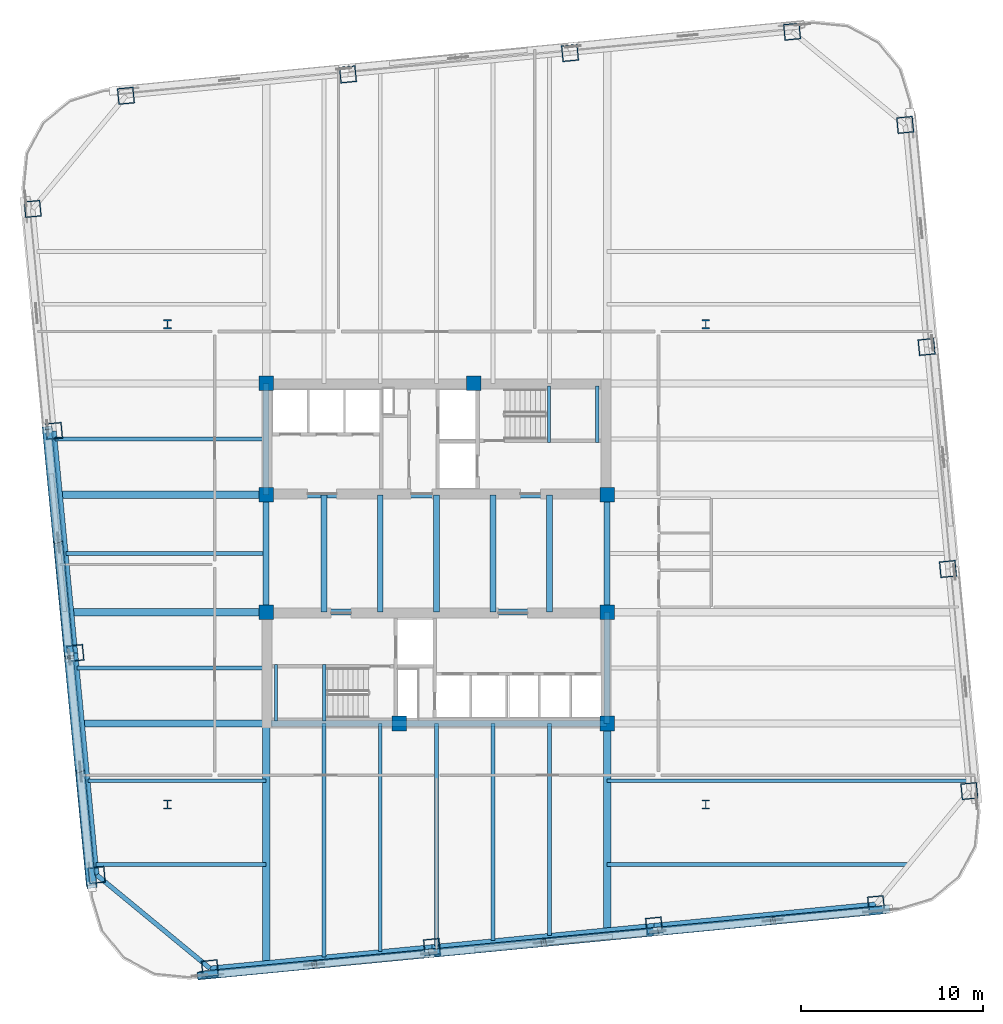
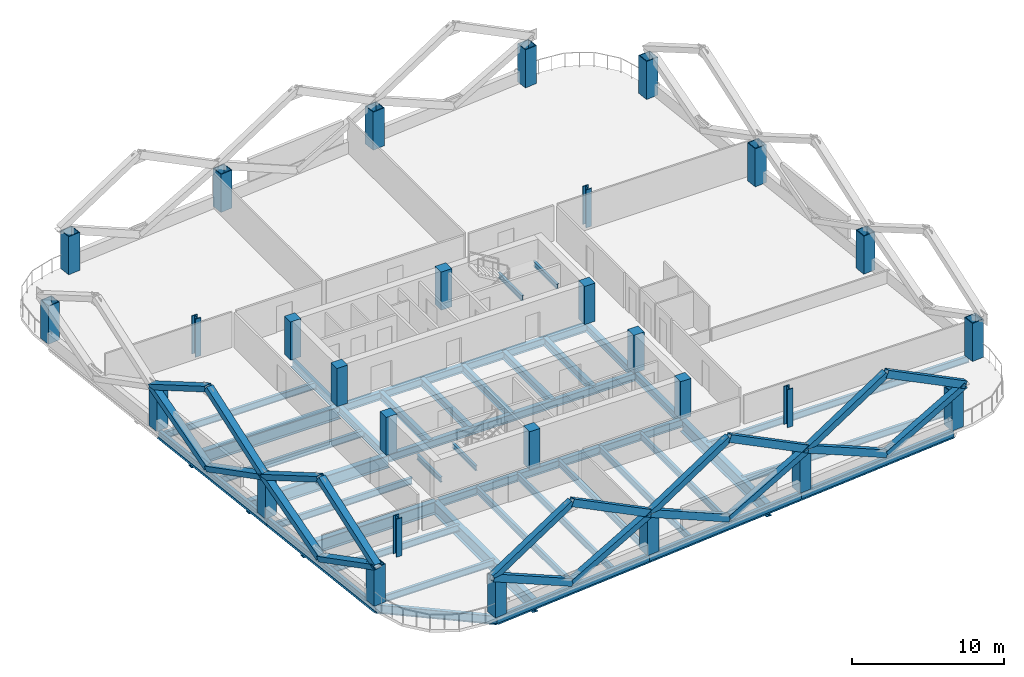
# One storey, part 1 of 8: 39 beams, 28 columns, 20 members.
"""IFC4 building model written with IfcOpenShell, lengths in metres."""

from ifc_helpers import new_model, si_unit, direction, frame, origin, origin_2d, place, context, subcontext, project, spatial, rectangle, hollow_rectangle, i_section, extrude, material, material_profile, profile_set, type_object, element, save


model = new_model("IFC4")

# Units and contexts
model_context = context("Model", 3, precision=1e-05, world=origin(), true_north=direction((0.0, 1.0)))
body_context = subcontext(model_context, "Body", "Model", "MODEL_VIEW")
ifc_project = project(units=[si_unit("LENGTHUNIT", "METRE"), si_unit("AREAUNIT", "SQUARE_METRE"), si_unit("VOLUMEUNIT", "CUBIC_METRE"), si_unit("PLANEANGLEUNIT", "RADIAN"), si_unit("MASSUNIT", "GRAM", prefix="KILO")], contexts=[model_context])

# Site, building, storey
site_placement = place(None, origin())
site = spatial("IfcSite", under=ifc_project, at=site_placement, CompositionType="ELEMENT")
building_placement = place(site_placement, origin())
building = spatial("IfcBuilding", under=site, at=building_placement, Name="Qhalaya Broadcast Tower", CompositionType="ELEMENT")
storey_placement = place(building_placement, frame((0.0, 0.0, 93.85009765625)))
storey = spatial("IfcBuildingStorey", under=building, at=storey_placement, Name="L27", CompositionType="ELEMENT", Elevation=93.85009765625)

# Columns
ifc_material_1 = material(Name="Concrete C50/60", Category="concrete")
ifc_material_profile_1 = material_profile(ifc_material_1, rectangle(XDim=0.800048828125, YDim=0.800048828125, at=origin_2d()), Name="RC-COL 800x800")
ifc_profile_set_1 = profile_set([ifc_material_profile_1], Name="Concrete C50/60")
column_type_1 = type_object("IfcColumnType", Name="RC Upper Column C10", PredefinedType="COLUMN", material=ifc_profile_set_1)
for number, where, z_axis, x_axis, name in (
    (1, (-9.375, 9.949951171875, 0.0), (0.0, 0.0, 1.0), (1.0, 0.0, 0.0), "L27 Column COL-CC1"),
    (2, (2.050048828125, 9.949951171875, 0.0), (0.0, 0.0, 1.0), (1.0, 0.0, 0.0), "L27 Column COL-CC2"),
    (3, (-9.375, 3.824951171875, 0.0), (0.0, 0.0, 1.0), (1.0, 0.0, 0.0), "L27 Column COL-CC3"),
    (4, (9.375, 3.824951171875, 0.0), (0.0, 0.0, 1.0), (1.0, 0.0, 0.0), "L27 Column COL-CC4"),
    (5, (-9.375, -2.625, 0.0), (0.0, 0.0, 1.0), (1.0, 0.0, 0.0), "L27 Column COL-CC5"),
    (6, (9.375, -2.625, 0.0), (0.0, 0.0, 1.0), (1.0, 0.0, 0.0), "L27 Column COL-CC6"),
    (7, (-2.050048828125, -8.75, 0.0), (0.0, 0.0, 1.0), (1.0, 0.0, 0.0), "L27 Column COL-CC7"),
    (8, (9.375, -8.75, 0.0), (0.0, 0.0, 1.0), (1.0, 0.0, 0.0), "L27 Column COL-CC8"),
):
    element("IfcColumn", number, at=place(storey_placement, frame(where, z_axis=z_axis, x_axis=x_axis)), inside=storey, type_object=column_type_1, Name=name, PredefinedType="COLUMN", context=body_context, shape_type="SweptSolid", body=[
        extrude(rectangle(XDim=0.800048828125, YDim=0.800048828125, at=origin_2d()), origin(), (0.0, 0.0, 1.0), 3.0498046875),
    ])
ifc_material_2 = material(Name="Structural Steel ASTM A992 Grade 50", Category="steel")
ifc_material_profile_2 = material_profile(ifc_material_2, i_section(OverallWidth=0.41796875, OverallDepth=0.510009765625, WebThickness=0.0419921875, FlangeThickness=0.067626953125, at=origin_2d()), Name="W14X370")
ifc_profile_set_2 = profile_set([ifc_material_profile_2], Name="Structural Steel ASTM A992 Grade 50")
column_type_2 = type_object("IfcColumnType", Name="Rolled Gravity Column C06", PredefinedType="COLUMN", material=ifc_profile_set_2)
for number, where, z_axis, x_axis, name in (
    (9, (-14.800048828125, -13.199951171875, 0.0), (0.0, 0.0, 1.0), (1.0, 0.0, 0.0), "L27 Column COL-GR1"),
    (10, (14.800048828125, -13.199951171875, 0.0), (0.0, 0.0, 1.0), (1.0, 0.0, 0.0), "L27 Column COL-GR2"),
    (11, (-14.800048828125, 13.199951171875, 0.0), (0.0, 0.0, 1.0), (1.0, 0.0, 0.0), "L27 Column COL-GR3"),
    (12, (14.800048828125, 13.199951171875, 0.0), (0.0, 0.0, 1.0), (1.0, 0.0, 0.0), "L27 Column COL-GR4"),
):
    element("IfcColumn", number, at=place(storey_placement, frame(where, z_axis=z_axis, x_axis=x_axis)), inside=storey, type_object=column_type_2, Name=name, PredefinedType="COLUMN", context=body_context, shape_type="SweptSolid", body=[
        extrude(i_section(OverallWidth=0.41796875, OverallDepth=0.510009765625, WebThickness=0.0419921875, FlangeThickness=0.067626953125, at=origin_2d()), origin(), (0.0, 0.0, 1.0), 3.0498046875),
    ])
ifc_material_3 = material(Name="Structural Steel ASTM A572 Grade 50", Category="steel")
ifc_material_profile_3 = material_profile(ifc_material_3, hollow_rectangle(XDim=0.89990234375, YDim=0.89990234375, WallThickness=0.054931640625, at=origin_2d()), Name="BOX 900x900x55")
ifc_profile_set_3 = profile_set([ifc_material_profile_3], Name="Structural Steel ASTM A572 Grade 50")
column_type_3 = type_object("IfcColumnType", Name="Steel Box Column C02", PredefinedType="COLUMN", material=ifc_profile_set_3)
for number, where, z_axis, x_axis, name in (
    (13, (-12.46533203125, -22.212646484375, 0.0), (0.0, 0.0, 1.0), (0.995396198367, 0.09584575252, 0.0), "L27 Column COL-EX01"),
    (14, (-0.255126953125, -21.036865234375, 0.0), (0.0, 0.0, 1.0), (0.995396198367, 0.09584575252, 0.0), "L27 Column COL-EX02"),
    (15, (11.955078125, -19.861083984375, 0.0), (0.0, 0.0, 1.0), (0.995396198367, 0.09584575252, 0.0), "L27 Column COL-EX03"),
    (16, (24.165283203125, -18.685546875, 0.0), (0.0, 0.0, 1.0), (0.995396198367, 0.09584575252, 0.0), "L27 Column COL-EX04"),
    (17, (29.29248046875, -12.46533203125, 0.0), (0.0, 0.0, 1.0), (-0.09584575252, 0.995396198367, 0.0), "L27 Column COL-EX05"),
    (18, (28.116943359375, -0.255126953125, 0.0), (0.0, 0.0, 1.0), (-0.09584575252, 0.995396198367, 0.0), "L27 Column COL-EX06"),
    (19, (26.941162109375, 11.955078125, 0.0), (0.0, 0.0, 1.0), (-0.09584575252, 0.995396198367, 0.0), "L27 Column COL-EX07"),
    (20, (25.765380859375, 24.165283203125, 0.0), (0.0, 0.0, 1.0), (-0.09584575252, 0.995396198367, 0.0), "L27 Column COL-EX08"),
    (21, (19.54541015625, 29.29248046875, 0.0), (0.0, 0.0, 1.0), (0.995396198367, 0.09584575252, 0.0), "L27 Column COL-EX09"),
    (22, (7.335205078125, 28.116943359375, 0.0), (0.0, 0.0, 1.0), (0.995396198367, 0.09584575252, 0.0), "L27 Column COL-EX10"),
    (23, (-4.875, 26.941162109375, 0.0), (0.0, 0.0, 1.0), (0.995396198367, 0.09584575252, 0.0), "L27 Column COL-EX11"),
    (24, (-17.085205078125, 25.765380859375, 0.0), (0.0, 0.0, 1.0), (0.995396198367, 0.09584575252, 0.0), "L27 Column COL-EX12"),
    (25, (-22.212646484375, 19.54541015625, 0.0), (0.0, 0.0, 1.0), (-0.09584575252, 0.995396198367, 0.0), "L27 Column COL-EX13"),
    (26, (-21.036865234375, 7.335205078125, 0.0), (0.0, 0.0, 1.0), (-0.09584575252, 0.995396198367, 0.0), "L27 Column COL-EX14"),
    (27, (-19.861083984375, -4.875, 0.0), (0.0, 0.0, 1.0), (-0.09584575252, 0.995396198367, 0.0), "L27 Column COL-EX15"),
    (28, (-18.685546875, -17.085205078125, 0.0), (0.0, 0.0, 1.0), (-0.09584575252, 0.995396198367, 0.0), "L27 Column COL-EX16"),
):
    element("IfcColumn", number, at=place(storey_placement, frame(where, z_axis=z_axis, x_axis=x_axis)), inside=storey, type_object=column_type_3, Name=name, PredefinedType="COLUMN", context=body_context, shape_type="SweptSolid", body=[
        extrude(hollow_rectangle(XDim=0.89990234375, YDim=0.89990234375, WallThickness=0.054931640625, at=origin_2d()), origin(), (0.0, 0.0, 1.0), 3.0498046875),
    ])

# Beams
ifc_material_profile_4 = material_profile(ifc_material_2, i_section(OverallWidth=0.2099609375, OverallDepth=0.535888671875, WebThickness=0.010986328125, FlangeThickness=0.017333984375, at=origin_2d()), Name="W21X68")
ifc_profile_set_4 = profile_set([ifc_material_profile_4], Name="Structural Steel ASTM A992 Grade 50")
beam_type_1 = type_object("IfcBeamType", Name="Composite Floor Joist J02", PredefinedType="JOIST", material=ifc_profile_set_4)
beam_1_placement = place(storey_placement, frame((-6.199951171875, -21.589111328125, -0.488037109375), z_axis=(0.0, 1.0, 0.0), x_axis=(-1.0, 0.0, 0.0)))
element("IfcBeam", 29, at=beam_1_placement, inside=storey, type_object=beam_type_1, Name="L27 J02 L27-JNS1-1", PredefinedType="JOIST", context=body_context, shape_type="SweptSolid", body=[
    extrude(i_section(OverallWidth=0.2099609375, OverallDepth=0.535888671875, WebThickness=0.010986328125, FlangeThickness=0.017333984375, at=origin_2d()), origin(), (0.0, 0.0, 1.0), 12.839111328125),
])
beam_2_placement = place(storey_placement, frame((-3.10009765625, -21.290771484375, -0.488037109375), z_axis=(0.0, 1.0, 0.0), x_axis=(-1.0, 0.0, 0.0)))
element("IfcBeam", 30, at=beam_2_placement, inside=storey, type_object=beam_type_1, Name="L27 J02 L27-JNS2-1", PredefinedType="JOIST", context=body_context, shape_type="SweptSolid", body=[
    extrude(i_section(OverallWidth=0.2099609375, OverallDepth=0.535888671875, WebThickness=0.010986328125, FlangeThickness=0.017333984375, at=origin_2d()), origin(), (0.0, 0.0, 1.0), 12.540771484375),
])
beam_3_placement = place(storey_placement, frame((0.0, -20.9921875, -0.488037109375), z_axis=(0.0, 1.0, 0.0), x_axis=(-1.0, 0.0, 0.0)))
element("IfcBeam", 31, at=beam_3_placement, inside=storey, type_object=beam_type_1, Name="L27 J02 L27-JNS3-1", PredefinedType="JOIST", context=body_context, shape_type="SweptSolid", body=[
    extrude(i_section(OverallWidth=0.2099609375, OverallDepth=0.535888671875, WebThickness=0.010986328125, FlangeThickness=0.017333984375, at=origin_2d()), origin(), (0.0, 0.0, 1.0), 12.2421875),
])
beam_4_placement = place(storey_placement, frame((3.10009765625, -20.693603515625, -0.488037109375), z_axis=(0.0, 1.0, 0.0), x_axis=(-1.0, 0.0, 0.0)))
element("IfcBeam", 32, at=beam_4_placement, inside=storey, type_object=beam_type_1, Name="L27 J02 L27-JNS4-1", PredefinedType="JOIST", context=body_context, shape_type="SweptSolid", body=[
    extrude(i_section(OverallWidth=0.2099609375, OverallDepth=0.535888671875, WebThickness=0.010986328125, FlangeThickness=0.017333984375, at=origin_2d()), origin(), (0.0, 0.0, 1.0), 11.943603515625),
])
beam_5_placement = place(storey_placement, frame((6.199951171875, -20.395263671875, -0.488037109375), z_axis=(0.0, 1.0, 0.0), x_axis=(-1.0, 0.0, 0.0)))
element("IfcBeam", 33, at=beam_5_placement, inside=storey, type_object=beam_type_1, Name="L27 J02 L27-JNS5-1", PredefinedType="JOIST", context=body_context, shape_type="SweptSolid", body=[
    extrude(i_section(OverallWidth=0.2099609375, OverallDepth=0.535888671875, WebThickness=0.010986328125, FlangeThickness=0.017333984375, at=origin_2d()), origin(), (0.0, 0.0, 1.0), 11.645263671875),
])
beam_6_placement = place(storey_placement, frame((-18.7216796875, -16.5, -0.488037109375), z_axis=(1.0, 0.0, 0.0), x_axis=(0.0, 1.0, 0.0)))
element("IfcBeam", 34, at=beam_6_placement, inside=storey, type_object=beam_type_1, Name="L27 J02 L27-JWE1W-1", PredefinedType="JOIST", context=body_context, shape_type="SweptSolid", body=[
    extrude(i_section(OverallWidth=0.2099609375, OverallDepth=0.535888671875, WebThickness=0.010986328125, FlangeThickness=0.017333984375, at=origin_2d()), origin(), (0.0, 0.0, 1.0), 9.3466796875),
])
beam_7_placement = place(storey_placement, frame((9.375, -16.5, -0.488037109375), z_axis=(1.0, 0.0, 0.0), x_axis=(0.0, 1.0, 0.0)))
element("IfcBeam", 35, at=beam_7_placement, inside=storey, type_object=beam_type_1, Name="L27 J02 L27-JWE1E-1", PredefinedType="JOIST", context=body_context, shape_type="SweptSolid", body=[
    extrude(i_section(OverallWidth=0.2099609375, OverallDepth=0.535888671875, WebThickness=0.010986328125, FlangeThickness=0.017333984375, at=origin_2d()), origin(), (0.0, 0.0, 1.0), 16.56591796875),
])
beam_8_placement = place(storey_placement, frame((-19.164794921875, -11.89990234375, -0.488037109375), z_axis=(1.0, 0.0, 0.0), x_axis=(0.0, 1.0, 0.0)))
element("IfcBeam", 36, at=beam_8_placement, inside=storey, type_object=beam_type_1, Name="L27 J02 L27-JWE2W-1", PredefinedType="JOIST", context=body_context, shape_type="SweptSolid", body=[
    extrude(i_section(OverallWidth=0.2099609375, OverallDepth=0.535888671875, WebThickness=0.010986328125, FlangeThickness=0.017333984375, at=origin_2d()), origin(), (0.0, 0.0, 1.0), 9.789794921875),
])
beam_9_placement = place(storey_placement, frame((9.375, -11.89990234375, -0.488037109375), z_axis=(1.0, 0.0, 0.0), x_axis=(0.0, 1.0, 0.0)))
element("IfcBeam", 37, at=beam_9_placement, inside=storey, type_object=beam_type_1, Name="L27 J02 L27-JWE2E-1", PredefinedType="JOIST", context=body_context, shape_type="SweptSolid", body=[
    extrude(i_section(OverallWidth=0.2099609375, OverallDepth=0.535888671875, WebThickness=0.010986328125, FlangeThickness=0.017333984375, at=origin_2d()), origin(), (0.0, 0.0, 1.0), 19.843017578125),
])
beam_10_placement = place(storey_placement, frame((-19.76171875, -5.699951171875, -0.488037109375), z_axis=(1.0, 0.0, 0.0), x_axis=(0.0, 1.0, 0.0)))
element("IfcBeam", 38, at=beam_10_placement, inside=storey, type_object=beam_type_1, Name="L27 J02 L27-JWE3W-1", PredefinedType="JOIST", context=body_context, shape_type="SweptSolid", body=[
    extrude(i_section(OverallWidth=0.2099609375, OverallDepth=0.535888671875, WebThickness=0.010986328125, FlangeThickness=0.017333984375, at=origin_2d()), origin(), (0.0, 0.0, 1.0), 10.38671875),
])
beam_11_placement = place(storey_placement, frame((-20.368408203125, 0.60009765625, -0.488037109375), z_axis=(1.0, 0.0, 0.0), x_axis=(0.0, 1.0, 0.0)))
element("IfcBeam", 39, at=beam_11_placement, inside=storey, type_object=beam_type_1, Name="L27 J02 L27-JWE4W-1", PredefinedType="JOIST", context=body_context, shape_type="SweptSolid", body=[
    extrude(i_section(OverallWidth=0.2099609375, OverallDepth=0.535888671875, WebThickness=0.010986328125, FlangeThickness=0.017333984375, at=origin_2d()), origin(), (0.0, 0.0, 1.0), 10.993408203125),
])
beam_12_placement = place(storey_placement, frame((-20.974853515625, 6.89990234375, -0.488037109375), z_axis=(1.0, 0.0, 0.0), x_axis=(0.0, 1.0, 0.0)))
element("IfcBeam", 40, at=beam_12_placement, inside=storey, type_object=beam_type_1, Name="L27 J02 L27-JWE5W-1", PredefinedType="JOIST", context=body_context, shape_type="SweptSolid", body=[
    extrude(i_section(OverallWidth=0.2099609375, OverallDepth=0.535888671875, WebThickness=0.010986328125, FlangeThickness=0.017333984375, at=origin_2d()), origin(), (0.0, 0.0, 1.0), 11.599853515625),
])
ifc_material_profile_5 = material_profile(ifc_material_2, i_section(OverallWidth=0.323974609375, OverallDepth=0.612060546875, WebThickness=0.0126953125, FlangeThickness=0.01904296875, at=origin_2d()), Name="W24X104")
ifc_profile_set_5 = profile_set([ifc_material_profile_5], Name="Structural Steel ASTM A992 Grade 50")
beam_type_2 = type_object("IfcBeamType", Name="Core Frame Tie Beam B04", PredefinedType="BEAM", material=ifc_profile_set_5)
beam_13_placement = place(storey_placement, frame((-9.375, 3.824951171875, -0.526123046875), z_axis=(1.0, 0.0, 0.0), x_axis=(0.0, 1.0, 0.0)))
element("IfcBeam", 41, at=beam_13_placement, inside=storey, type_object=beam_type_2, Name="L27 B04 L27-CCN1", PredefinedType="BEAM", context=body_context, shape_type="SweptSolid", body=[
    extrude(i_section(OverallWidth=0.323974609375, OverallDepth=0.612060546875, WebThickness=0.0126953125, FlangeThickness=0.01904296875, at=origin_2d()), origin(), (0.0, 0.0, 1.0), 18.75),
])
beam_14_placement = place(storey_placement, frame((-9.375, 3.824951171875, -0.526123046875), z_axis=(0.0, 1.0, 0.0), x_axis=(-1.0, 0.0, 0.0)))
element("IfcBeam", 42, at=beam_14_placement, inside=storey, type_object=beam_type_2, Name="L27 B04 L27-CCN2", PredefinedType="BEAM", context=body_context, shape_type="SweptSolid", body=[
    extrude(i_section(OverallWidth=0.323974609375, OverallDepth=0.612060546875, WebThickness=0.0126953125, FlangeThickness=0.01904296875, at=origin_2d()), origin(), (0.0, 0.0, 1.0), 6.125),
])
beam_15_placement = place(storey_placement, frame((-9.375, -2.625, -0.526123046875), z_axis=(1.0, 0.0, 0.0), x_axis=(0.0, 1.0, 0.0)))
element("IfcBeam", 43, at=beam_15_placement, inside=storey, type_object=beam_type_2, Name="L27 B04 L27-CCS1", PredefinedType="BEAM", context=body_context, shape_type="SweptSolid", body=[
    extrude(i_section(OverallWidth=0.323974609375, OverallDepth=0.612060546875, WebThickness=0.0126953125, FlangeThickness=0.01904296875, at=origin_2d()), origin(), (0.0, 0.0, 1.0), 18.75),
])
beam_16_placement = place(storey_placement, frame((9.375, -8.75, -0.526123046875), z_axis=(0.0, 1.0, 0.0), x_axis=(-1.0, 0.0, 0.0)))
element("IfcBeam", 44, at=beam_16_placement, inside=storey, type_object=beam_type_2, Name="L27 B04 L27-CCS2", PredefinedType="BEAM", context=body_context, shape_type="SweptSolid", body=[
    extrude(i_section(OverallWidth=0.323974609375, OverallDepth=0.612060546875, WebThickness=0.0126953125, FlangeThickness=0.01904296875, at=origin_2d()), origin(), (0.0, 0.0, 1.0), 6.125),
])
beam_17_placement = place(storey_placement, frame((-9.1201171875, -8.75, -0.526123046875), z_axis=(1.0, 0.0, 0.0), x_axis=(0.0, 1.0, 0.0)))
element("IfcBeam", 45, at=beam_17_placement, inside=storey, type_object=beam_type_2, Name="L27 B04 L27-CCS3", PredefinedType="BEAM", context=body_context, shape_type="SweptSolid", body=[
    extrude(i_section(OverallWidth=0.323974609375, OverallDepth=0.612060546875, WebThickness=0.0126953125, FlangeThickness=0.01904296875, at=origin_2d()), origin(), (0.0, 0.0, 1.0), 18.4951171875),
])
for number, where, z_axis, x_axis, name in (
    (46, (-9.375, -2.625, -0.526123046875), (0.0, 1.0, 0.0), (-1.0, 0.0, 0.0), "L27 B04 L27-CCW"),
    (47, (9.375, -2.625, -0.526123046875), (0.0, 1.0, 0.0), (-1.0, 0.0, 0.0), "L27 B04 L27-CCE"),
    (48, (-6.199951171875, -2.625, -0.526123046875), (0.0, 1.0, 0.0), (-1.0, 0.0, 0.0), "L27 B04 L27-JC1-1"),
    (49, (-3.10009765625, -2.625, -0.526123046875), (0.0, 1.0, 0.0), (-1.0, 0.0, 0.0), "L27 B04 L27-JC2-1"),
    (50, (0.0, -2.625, -0.526123046875), (0.0, 1.0, 0.0), (-1.0, 0.0, 0.0), "L27 B04 L27-JC3-1"),
    (51, (3.10009765625, -2.625, -0.526123046875), (0.0, 1.0, 0.0), (-1.0, 0.0, 0.0), "L27 B04 L27-JC4-1"),
    (52, (6.199951171875, -2.625, -0.526123046875), (0.0, 1.0, 0.0), (-1.0, 0.0, 0.0), "L27 B04 L27-JC5-1"),
):
    element("IfcBeam", number, at=place(storey_placement, frame(where, z_axis=z_axis, x_axis=x_axis)), inside=storey, type_object=beam_type_2, Name=name, PredefinedType="BEAM", context=body_context, shape_type="SweptSolid", body=[
        extrude(i_section(OverallWidth=0.323974609375, OverallDepth=0.612060546875, WebThickness=0.0126953125, FlangeThickness=0.01904296875, at=origin_2d()), origin(), (0.0, 0.0, 1.0), 6.449951171875),
    ])

# Members
ifc_material_profile_6 = material_profile(ifc_material_3, hollow_rectangle(XDim=0.419921875, YDim=0.550048828125, WallThickness=0.028076171875, at=origin_2d()), Name="BOX 420x550x28")
ifc_profile_set_6 = profile_set([ifc_material_profile_6], Name="Structural Steel ASTM A572 Grade 50")
member_type = type_object("IfcMemberType", Name="Exoskeleton Diamond Diagonal Mid-Low EX2", PredefinedType="BRACE", material=ifc_profile_set_6)
for number, where, z_axis, x_axis, name in (
    (53, (-6.725830078125, -22.00146484375, 0.35986328125), (-0.902315878766, -0.0869049489, 0.42222456677), (0.135710258399, -0.98693161436, 0.086883337537), "B2 Exoskeleton Diamond Brace S1-D1"),
    (54, (-6.725830078125, -22.00146484375, 0.35986328125), (0.902318618362, 0.086870268966, 0.422225848721), (-0.135672511175, 0.98693680918, 0.086883280306), "B2 Exoskeleton Diamond Brace S1-D2"),
):
    element("IfcMember", number, at=place(storey_placement, frame(where, z_axis=z_axis, x_axis=x_axis)), inside=storey, type_object=member_type, Name=name, PredefinedType="BRACE", context=body_context, shape_type="SweptSolid", body=[
        extrude(hollow_rectangle(XDim=0.419921875, YDim=0.550048828125, WallThickness=0.028076171875, at=origin_2d()), origin(), (0.0, 0.0, 1.0), 6.986572265625),
    ])
for number, where, z_axis, x_axis, name in (
    (55, (-13.030029296875, -22.608642578125, 3.309814453125), (0.875265032642, 0.084299594771, 0.476240171506), (-0.14086357815, 0.986435281535, 0.084278631303), "B2 Exoskeleton Diamond Brace S1-D3"),
    (56, (-0.421630859375, -21.39453125, 3.309814453125), (-0.875267533156, -0.084265939409, 0.47624153206), (0.140825857466, -0.98644067337, 0.084278560676), "B2 Exoskeleton Diamond Brace S1-D4"),
):
    element("IfcMember", number, at=place(storey_placement, frame(where, z_axis=z_axis, x_axis=x_axis)), inside=storey, type_object=member_type, Name=name, PredefinedType="BRACE", context=body_context, shape_type="SweptSolid", body=[
        extrude(hollow_rectangle(XDim=0.419921875, YDim=0.550048828125, WallThickness=0.028076171875, at=origin_2d()), origin(), (0.0, 0.0, 1.0), 7.20263671875),
    ])
for number, where, z_axis, x_axis, name in (
    (57, (5.882568359375, -20.78759765625, 0.35986328125), (-0.902318618362, -0.086870268966, 0.422225848721), (0.135672511175, -0.98693680918, 0.086883280306), "B2 Exoskeleton Diamond Brace S2-D1"),
    (58, (5.882568359375, -20.78759765625, 0.35986328125), (0.902309385011, 0.086907689111, 0.422237879985), (-0.135715175988, 0.986930990467, 0.086882743184), "B2 Exoskeleton Diamond Brace S2-D2"),
):
    element("IfcMember", number, at=place(storey_placement, frame(where, z_axis=z_axis, x_axis=x_axis)), inside=storey, type_object=member_type, Name=name, PredefinedType="BRACE", context=body_context, shape_type="SweptSolid", body=[
        extrude(hollow_rectangle(XDim=0.419921875, YDim=0.550048828125, WallThickness=0.028076171875, at=origin_2d()), origin(), (0.0, 0.0, 1.0), 6.986572265625),
    ])
member_1_placement = place(storey_placement, frame((-0.421630859375, -21.39453125, 3.309814453125), z_axis=(0.875267533156, 0.084265939409, 0.47624153206), x_axis=(-0.140825857466, 0.98644067337, 0.084278560676)))
element("IfcMember", 59, at=member_1_placement, inside=storey, type_object=member_type, Name="B2 Exoskeleton Diamond Brace S2-D3", PredefinedType="BRACE", context=body_context, shape_type="SweptSolid", body=[
    extrude(hollow_rectangle(XDim=0.419921875, YDim=0.550048828125, WallThickness=0.028076171875, at=origin_2d()), origin(), (0.0, 0.0, 1.0), 7.20263671875),
])
member_2_placement = place(storey_placement, frame((12.1865234375, -20.180419921875, 3.309814453125), z_axis=(-0.875257103615, -0.08430209584, 0.476254300987), x_axis=(0.14086857178, -0.986434631095, 0.084277897822)))
element("IfcMember", 60, at=member_2_placement, inside=storey, type_object=member_type, Name="B2 Exoskeleton Diamond Brace S2-D4", PredefinedType="BRACE", context=body_context, shape_type="SweptSolid", body=[
    extrude(hollow_rectangle(XDim=0.419921875, YDim=0.550048828125, WallThickness=0.028076171875, at=origin_2d()), origin(), (0.0, 0.0, 1.0), 7.202392578125),
])
for number, where, z_axis, x_axis, name in (
    (61, (18.49072265625, -19.573486328125, 0.35986328125), (-0.902318618362, -0.086870268966, 0.422225848721), (0.135672511175, -0.98693680918, 0.086883280306), "B2 Exoskeleton Diamond Brace S3-D1"),
    (62, (18.49072265625, -19.573486328125, 0.35986328125), (0.902315878766, 0.0869049489, 0.42222456677), (-0.135710258399, 0.98693161436, 0.086883337537), "B2 Exoskeleton Diamond Brace S3-D2"),
):
    element("IfcMember", number, at=place(storey_placement, frame(where, z_axis=z_axis, x_axis=x_axis)), inside=storey, type_object=member_type, Name=name, PredefinedType="BRACE", context=body_context, shape_type="SweptSolid", body=[
        extrude(hollow_rectangle(XDim=0.419921875, YDim=0.550048828125, WallThickness=0.028076171875, at=origin_2d()), origin(), (0.0, 0.0, 1.0), 6.986572265625),
    ])
for number, where, z_axis, x_axis, name in (
    (63, (12.1865234375, -20.180419921875, 3.309814453125), (0.875267533156, 0.084265939409, 0.47624153206), (-0.140825857466, 0.98644067337, 0.084278560676), "B2 Exoskeleton Diamond Brace S3-D3"),
    (64, (24.794921875, -18.96630859375, 3.309814453125), (-0.875265032642, -0.084299594771, 0.476240171506), (0.14086357815, -0.986435281535, 0.084278631303), "B2 Exoskeleton Diamond Brace S3-D4"),
):
    element("IfcMember", number, at=place(storey_placement, frame(where, z_axis=z_axis, x_axis=x_axis)), inside=storey, type_object=member_type, Name=name, PredefinedType="BRACE", context=body_context, shape_type="SweptSolid", body=[
        extrude(hollow_rectangle(XDim=0.419921875, YDim=0.550048828125, WallThickness=0.028076171875, at=origin_2d()), origin(), (0.0, 0.0, 1.0), 7.20263671875),
    ])
for number, where, z_axis, x_axis, name in (
    (65, (-20.78759765625, 1.197509765625, 0.35986328125), (-0.086870268966, 0.902318618362, 0.422225848721), (0.135680842624, -0.409162657961, 0.902317365607), "B2 Exoskeleton Diamond Brace W2-D1"),
    (66, (-20.78759765625, 1.197509765625, 0.35986328125), (0.0869049489, -0.902315878766, 0.42222456677), (-0.135696420118, 0.409156181296, 0.902317959965), "B2 Exoskeleton Diamond Brace W2-D2"),
):
    element("IfcMember", number, at=place(storey_placement, frame(where, z_axis=z_axis, x_axis=x_axis)), inside=storey, type_object=member_type, Name=name, PredefinedType="BRACE", context=body_context, shape_type="SweptSolid", body=[
        extrude(hollow_rectangle(XDim=0.419921875, YDim=0.550048828125, WallThickness=0.028076171875, at=origin_2d()), origin(), (0.0, 0.0, 1.0), 6.986572265625),
    ])
for number, where, z_axis, x_axis, name in (
    (67, (-21.39453125, 7.501708984375, 3.309814453125), (0.084265939409, -0.875267533156, 0.47624153206), (-0.140833410014, 0.462682205484, 0.875266317958), "B2 Exoskeleton Diamond Brace W2-D3"),
    (68, (-20.180419921875, -5.106689453125, 3.309814453125), (-0.084299594771, 0.875265032642, 0.476240171506), (0.140851033595, -0.462675453191, 0.875267051448), "B2 Exoskeleton Diamond Brace W2-D4"),
):
    element("IfcMember", number, at=place(storey_placement, frame(where, z_axis=z_axis, x_axis=x_axis)), inside=storey, type_object=member_type, Name=name, PredefinedType="BRACE", context=body_context, shape_type="SweptSolid", body=[
        extrude(hollow_rectangle(XDim=0.419921875, YDim=0.550048828125, WallThickness=0.028076171875, at=origin_2d()), origin(), (0.0, 0.0, 1.0), 7.20263671875),
    ])
for number, where, z_axis, x_axis, name in (
    (69, (-19.573486328125, -11.410888671875, 0.35986328125), (-0.086870268966, 0.902318618362, 0.422225848721), (0.135680842624, -0.409162657961, 0.902317365607), "B2 Exoskeleton Diamond Brace W3-D1"),
    (70, (-19.573486328125, -11.410888671875, 0.35986328125), (0.0869049489, -0.902315878766, 0.42222456677), (-0.135696420118, 0.409156181296, 0.902317959965), "B2 Exoskeleton Diamond Brace W3-D2"),
):
    element("IfcMember", number, at=place(storey_placement, frame(where, z_axis=z_axis, x_axis=x_axis)), inside=storey, type_object=member_type, Name=name, PredefinedType="BRACE", context=body_context, shape_type="SweptSolid", body=[
        extrude(hollow_rectangle(XDim=0.419921875, YDim=0.550048828125, WallThickness=0.028076171875, at=origin_2d()), origin(), (0.0, 0.0, 1.0), 6.986572265625),
    ])
for number, where, z_axis, x_axis, name in (
    (71, (-20.180419921875, -5.106689453125, 3.309814453125), (0.084265939409, -0.875267533156, 0.47624153206), (-0.140833410014, 0.462682205484, 0.875266317958), "B2 Exoskeleton Diamond Brace W3-D3"),
    (72, (-18.96630859375, -17.715087890625, 3.309814453125), (-0.084299594771, 0.875265032642, 0.476240171506), (0.140851033595, -0.462675453191, 0.875267051448), "B2 Exoskeleton Diamond Brace W3-D4"),
):
    element("IfcMember", number, at=place(storey_placement, frame(where, z_axis=z_axis, x_axis=x_axis)), inside=storey, type_object=member_type, Name=name, PredefinedType="BRACE", context=body_context, shape_type="SweptSolid", body=[
        extrude(hollow_rectangle(XDim=0.419921875, YDim=0.550048828125, WallThickness=0.028076171875, at=origin_2d()), origin(), (0.0, 0.0, 1.0), 7.20263671875),
    ])

# Beams
ifc_material_profile_7 = material_profile(ifc_material_2, i_section(OverallWidth=0.40087890625, OverallDepth=1.010986328125, WebThickness=0.023681640625, FlangeThickness=0.0419921875, at=origin_2d()), Name="W40X297")
ifc_profile_set_7 = profile_set([ifc_material_profile_7], Name="Structural Steel ASTM A992 Grade 50")
beam_type_3 = type_object("IfcBeamType", Name="Lower Block Primary Girder PG2", PredefinedType="USERDEFINED", material=ifc_profile_set_7)
beam_18_placement = place(storey_placement, frame((-9.375, -21.89501953125, -0.7255859375), z_axis=(0.0, 1.0, 0.0), x_axis=(-1.0, 0.0, 0.0)))
element("IfcBeam", 73, at=beam_18_placement, inside=storey, type_object=beam_type_3, Name="L27 PG2 L27-PGXS1-1", ObjectType="GIRDER", PredefinedType="USERDEFINED", context=body_context, shape_type="SweptSolid", body=[
    extrude(i_section(OverallWidth=0.40087890625, OverallDepth=1.010986328125, WebThickness=0.023681640625, FlangeThickness=0.0419921875, at=origin_2d()), origin(), (0.0, 0.0, 1.0), 13.14501953125),
])
beam_19_placement = place(storey_placement, frame((9.375, -20.089599609375, -0.7255859375), z_axis=(0.0, 1.0, 0.0), x_axis=(-1.0, 0.0, 0.0)))
element("IfcBeam", 74, at=beam_19_placement, inside=storey, type_object=beam_type_3, Name="L27 PG2 L27-PGXS2-1", ObjectType="GIRDER", PredefinedType="USERDEFINED", context=body_context, shape_type="SweptSolid", body=[
    extrude(i_section(OverallWidth=0.40087890625, OverallDepth=1.010986328125, WebThickness=0.023681640625, FlangeThickness=0.0419921875, at=origin_2d()), origin(), (0.0, 0.0, 1.0), 11.339599609375),
])
beam_20_placement = place(storey_placement, frame((-19.468017578125, -8.75, -0.7255859375), z_axis=(1.0, 0.0, 0.0), x_axis=(0.0, 1.0, 0.0)))
element("IfcBeam", 75, at=beam_20_placement, inside=storey, type_object=beam_type_3, Name="L27 PG2 L27-PGYW1-1", ObjectType="GIRDER", PredefinedType="USERDEFINED", context=body_context, shape_type="SweptSolid", body=[
    extrude(i_section(OverallWidth=0.40087890625, OverallDepth=1.010986328125, WebThickness=0.023681640625, FlangeThickness=0.0419921875, at=origin_2d()), origin(), (0.0, 0.0, 1.0), 10.093017578125),
])
beam_21_placement = place(storey_placement, frame((-20.057861328125, -2.625, -0.7255859375), z_axis=(1.0, 0.0, 0.0), x_axis=(0.0, 1.0, 0.0)))
element("IfcBeam", 76, at=beam_21_placement, inside=storey, type_object=beam_type_3, Name="L27 PG2 L27-PGYW2-1", ObjectType="GIRDER", PredefinedType="USERDEFINED", context=body_context, shape_type="SweptSolid", body=[
    extrude(i_section(OverallWidth=0.40087890625, OverallDepth=1.010986328125, WebThickness=0.023681640625, FlangeThickness=0.0419921875, at=origin_2d()), origin(), (0.0, 0.0, 1.0), 10.682861328125),
])
beam_22_placement = place(storey_placement, frame((-20.6787109375, 3.824951171875, -0.7255859375), z_axis=(1.0, 0.0, 0.0), x_axis=(0.0, 1.0, 0.0)))
element("IfcBeam", 77, at=beam_22_placement, inside=storey, type_object=beam_type_3, Name="L27 PG2 L27-PGYW3-1", ObjectType="GIRDER", PredefinedType="USERDEFINED", context=body_context, shape_type="SweptSolid", body=[
    extrude(i_section(OverallWidth=0.40087890625, OverallDepth=1.010986328125, WebThickness=0.023681640625, FlangeThickness=0.0419921875, at=origin_2d()), origin(), (0.0, 0.0, 1.0), 11.3037109375),
])
ifc_material_profile_8 = material_profile(ifc_material_2, i_section(OverallWidth=0.25390625, OverallDepth=0.68310546875, WebThickness=0.012451171875, FlangeThickness=0.01904296875, at=origin_2d()), Name="W27X94")
ifc_profile_set_8 = profile_set([ifc_material_profile_8], Name="Structural Steel ASTM A992 Grade 50")
beam_type_4 = type_object("IfcBeamType", Name="Perimeter Ring Spandrel Beam SP1", PredefinedType="SPANDREL", material=ifc_profile_set_8)
for number, where, z_axis, x_axis, name in (
    (78, (-12.46533203125, -22.212646484375, -0.5615234375), (0.99539563662, 0.095851586307, 0.0), (-0.095851586307, 0.99539563662, 0.0), "L27 SP1 L27-SPR-01"),
    (79, (-0.255126953125, -21.036865234375, -0.5615234375), (0.99539563662, 0.095851586307, 0.0), (-0.095851586307, 0.99539563662, 0.0), "L27 SP1 L27-SPR-02"),
    (80, (11.955078125, -19.861083984375, -0.5615234375), (0.995397535354, 0.095831866369, 0.0), (-0.095831866369, 0.995397535354, 0.0), "L27 SP1 L27-SPR-03"),
    (81, (-21.036865234375, 7.335205078125, -0.5615234375), (0.095851586307, -0.99539563662, 0.0), (0.99539563662, 0.095851586307, 0.0), "L27 SP1 L27-SPR-14"),
    (82, (-19.861083984375, -4.875, -0.5615234375), (0.095831866369, -0.995397535354, 0.0), (0.995397535354, 0.095831866369, 0.0), "L27 SP1 L27-SPR-15"),
):
    element("IfcBeam", number, at=place(storey_placement, frame(where, z_axis=z_axis, x_axis=x_axis)), inside=storey, type_object=beam_type_4, Name=name, PredefinedType="SPANDREL", context=body_context, shape_type="SweptSolid", body=[
        extrude(i_section(OverallWidth=0.25390625, OverallDepth=0.68310546875, WebThickness=0.012451171875, FlangeThickness=0.01904296875, at=origin_2d()), origin(), (0.0, 0.0, 1.0), 12.2666015625),
    ])
beam_23_placement = place(storey_placement, frame((-18.685546875, -17.085205078125, -0.5615234375), z_axis=(0.771631160126, -0.636070241972, 0.0), x_axis=(0.636070241972, 0.771631160126, 0.0)))
element("IfcBeam", 83, at=beam_23_placement, inside=storey, type_object=beam_type_4, Name="L27 SP1 L27-SPR-16", PredefinedType="SPANDREL", context=body_context, shape_type="SweptSolid", body=[
    extrude(i_section(OverallWidth=0.25390625, OverallDepth=0.68310546875, WebThickness=0.012451171875, FlangeThickness=0.01904296875, at=origin_2d()), origin(), (0.0, 0.0, 1.0), 8.06103515625),
])
ifc_material_profile_9 = material_profile(ifc_material_2, i_section(OverallWidth=0.177978515625, OverallDepth=0.406005859375, WebThickness=0.0078125, FlangeThickness=0.0126953125, at=origin_2d()), Name="W16X40")
ifc_profile_set_9 = profile_set([ifc_material_profile_9], Name="Structural Steel ASTM A992 Grade 50")
beam_type_5 = type_object("IfcBeamType", Name="Upper Perimeter Spandrel Beam SP2", PredefinedType="SPANDREL", material=ifc_profile_set_9)
for number, where, z_axis, x_axis, name in (
    (84, (6.175048828125, 6.699951171875, 1.121826171875), (0.0, 1.0, 0.0), (-1.0, 0.0, 0.0), "L27 ST-1 Half-Landing Bearer Beam 1"),
    (85, (8.830078125, 6.699951171875, 1.121826171875), (0.0, 1.0, 0.0), (-1.0, 0.0, 0.0), "L27 ST-1 Half-Landing Bearer Beam 2"),
    (86, (-8.830078125, -8.6201171875, 1.121826171875), (0.0, 1.0, 0.0), (-1.0, 0.0, 0.0), "L27 ST-2 Half-Landing Bearer Beam 1"),
    (87, (-6.175048828125, -8.6201171875, 1.121826171875), (0.0, 1.0, 0.0), (-1.0, 0.0, 0.0), "L27 ST-2 Half-Landing Bearer Beam 2"),
):
    element("IfcBeam", number, at=place(storey_placement, frame(where, z_axis=z_axis, x_axis=x_axis)), inside=storey, type_object=beam_type_5, Name=name, PredefinedType="SPANDREL", context=body_context, shape_type="SweptSolid", body=[
        extrude(i_section(OverallWidth=0.177978515625, OverallDepth=0.406005859375, WebThickness=0.0078125, FlangeThickness=0.0126953125, at=origin_2d()), origin(), (0.0, 0.0, 1.0), 3.1201171875),
    ])

save(model, "model.ifc")
